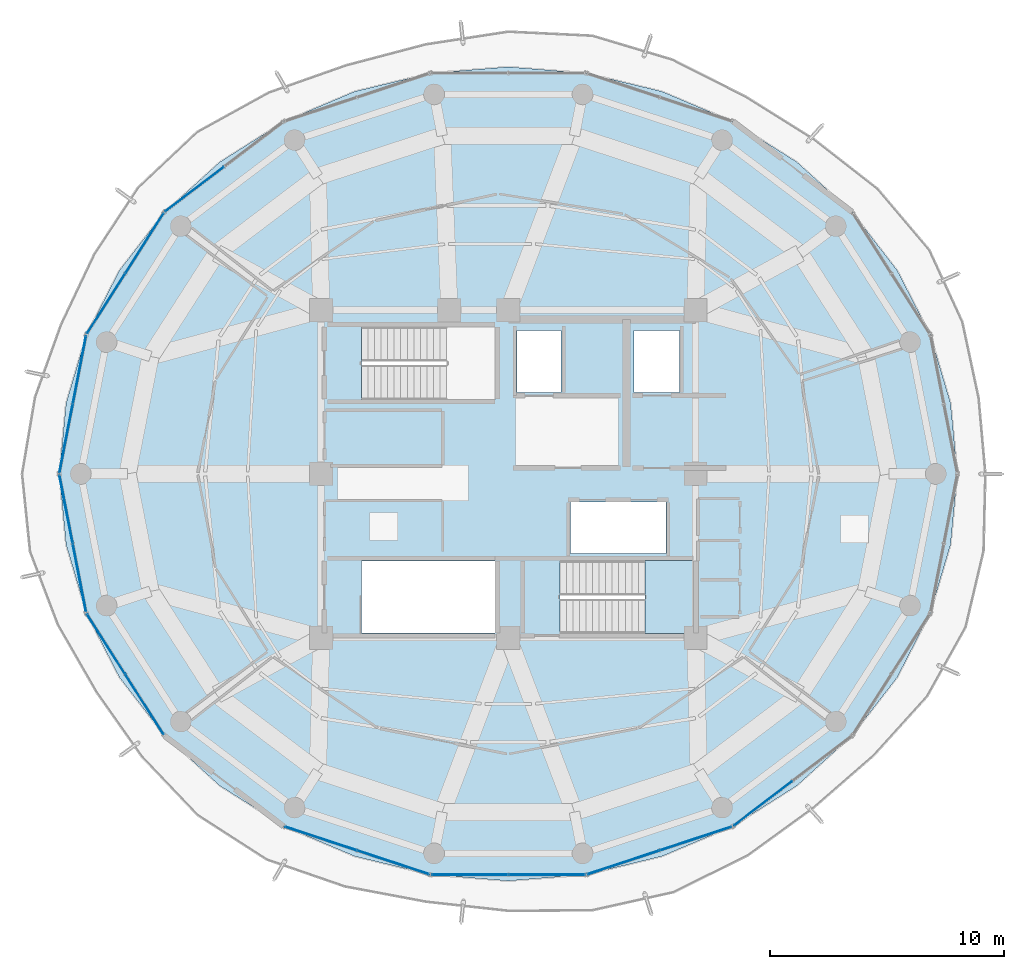
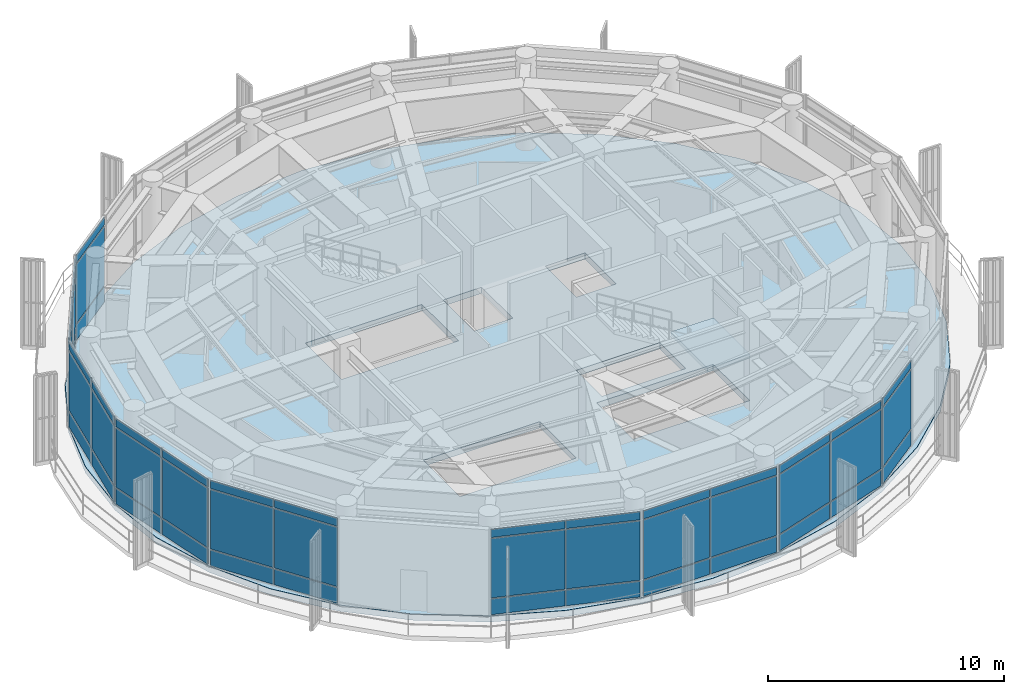
# One storey, part 16 of 23: 48 plates, 2 slabs, 10 elements without a shape of their own.
"""IFC4 building model written with IfcOpenShell, lengths in metres."""

from ifc_helpers import new_model, si_unit, direction, frame, origin, origin_2d, place, context, subcontext, project, spatial, polyline, rectangle, outline, extrude, source, transform, mapped, material, layer, layer_set, type_object, element, aggregate, save


model = new_model("IFC4")

# Units and contexts
model_context = context("Model", 3, precision=1e-05, world=origin(), true_north=direction((0.0, 1.0)))
body_context = subcontext(model_context, "Body", "Model", "MODEL_VIEW")
ifc_project = project(units=[si_unit("LENGTHUNIT", "METRE"), si_unit("AREAUNIT", "SQUARE_METRE"), si_unit("VOLUMEUNIT", "CUBIC_METRE"), si_unit("PLANEANGLEUNIT", "RADIAN"), si_unit("MASSUNIT", "GRAM", prefix="KILO")], contexts=[model_context])

# Site, building, storey
site_placement = place(None, origin())
site = spatial("IfcSite", under=ifc_project, at=site_placement, CompositionType="ELEMENT")
building_placement = place(site_placement, origin())
building = spatial("IfcBuilding", under=site, at=building_placement, Name="Kelanora Arch Commons", CompositionType="ELEMENT")
storey_placement = place(building_placement, frame((0.0, 0.0, 293.699951171875)))
storey = spatial("IfcBuildingStorey", under=building, at=storey_placement, Name="L75", CompositionType="ELEMENT", Elevation=293.699951171875)

# Stair, slab
ifc_material_1 = material(Name="Concrete C40/50", Category="concrete")
stair_type = type_object("IfcStairType", Name="STR-DL-480", PredefinedType="HALF_TURN_STAIR", material=ifc_material_1)
stair_placement = place(storey_placement, origin())
stair = element("IfcStair", 1, at=stair_placement, inside=storey, type_object=stair_type, Name="L75 ST-T2", PredefinedType="HALF_TURN_STAIR")
ifc_layer_1 = layer(ifc_material_1, 0.199951171875)
ifc_layer_set_1 = layer_set([ifc_layer_1], Name="Concrete C40/50")
slab_type_1 = type_object("IfcSlabType", Name="SLB-STAIR-LND", PredefinedType="LANDING", material=ifc_layer_set_1)
slab_1_placement = place(storey_placement, frame((0.0, 0.0, 2.199951171875)))
slab_1 = element("IfcSlab", 2, at=slab_1_placement, type_object=slab_type_1, Name="ST-T2 landing 1", PredefinedType="LANDING", context=body_context, shape_type="SweptSolid", body=[
    extrude(outline(polyline([(79.840087890625, 51.179931640625), (81.919921875, 51.179931640625), (81.919921875, 54.2900390625), (79.840087890625, 54.2900390625), (79.840087890625, 51.179931640625)])), origin(), (0.0, 0.0, 1.0), 0.2001953125),
])
aggregate(stair, [slab_1])

# Slab
ifc_material_2 = material(Name="Concrete C45/55", Category="concrete")
ifc_layer_2 = layer(ifc_material_2, 0.320068359375)
ifc_layer_set_2 = layer_set([ifc_layer_2], Name="Concrete C45/55")
slab_type_2 = type_object("IfcSlabType", Name="SLB-TWR-OBS", PredefinedType="FLOOR", material=ifc_layer_set_2)
slab_2_placement = place(storey_placement, frame((0.0, 0.0, -0.320068359375)))
element("IfcSlab", 3, at=slab_2_placement, inside=storey, type_object=slab_type_2, Name="Tower Floor Slab L75", PredefinedType="FLOOR", context=body_context, shape_type="SweptSolid", body=[
    extrude(outline(polyline([(93.199951171875, 58.0), (92.908203125, 61.021484375), (92.0419921875, 63.951171875), (90.627685546875, 66.699951171875), (88.7080078125, 69.1845703125), (86.341552734375, 71.3291015625), (83.60009765625, 73.06884765625), (80.56689453125, 74.3505859375), (77.333984375, 75.1357421875), (74.0, 75.39990234375), (70.666015625, 75.1357421875), (67.43310546875, 74.3505859375), (64.39990234375, 73.06884765625), (61.658447265625, 71.3291015625), (59.2919921875, 69.1845703125), (57.372314453125, 66.699951171875), (55.9580078125, 63.951171875), (55.091796875, 61.021484375), (54.800048828125, 58.0), (55.091796875, 54.978515625), (55.9580078125, 52.048828125), (57.372314453125, 49.300048828125), (59.2919921875, 46.8154296875), (61.658447265625, 44.6708984375), (64.39990234375, 42.93115234375), (67.43310546875, 41.6494140625), (70.666015625, 40.8642578125), (74.0, 40.60009765625), (77.333984375, 40.8642578125), (80.56689453125, 41.6494140625), (83.60009765625, 42.93115234375), (86.341552734375, 44.6708984375), (88.7080078125, 46.8154296875), (90.627685546875, 49.300048828125), (92.0419921875, 52.048828125), (92.908203125, 54.978515625), (93.199951171875, 58.0)]), holes=[polyline([(73.431884765625, 51.18798828125), (67.72802734375, 51.18798828125), (67.72802734375, 54.281982421875), (73.431884765625, 54.281982421875), (73.431884765625, 51.18798828125)]), polyline([(76.2080078125, 51.18798828125), (76.2080078125, 54.281982421875), (81.912109375, 54.281982421875), (81.912109375, 51.18798828125), (76.2080078125, 51.18798828125)]), polyline([(76.64990234375, 54.60009765625), (76.64990234375, 56.800048828125), (80.75, 56.800048828125), (80.75, 54.60009765625), (76.64990234375, 54.60009765625)]), polyline([(73.431884765625, 61.18798828125), (67.72802734375, 61.18798828125), (67.72802734375, 64.281982421875), (73.431884765625, 64.281982421875), (73.431884765625, 61.18798828125)]), polyline([(74.3798828125, 61.47998046875), (74.3798828125, 64.1201171875), (76.260009765625, 64.1201171875), (76.260009765625, 61.47998046875), (74.3798828125, 61.47998046875)]), polyline([(79.3798828125, 61.47998046875), (79.3798828125, 64.1201171875), (81.320068359375, 64.1201171875), (81.320068359375, 61.47998046875), (79.3798828125, 61.47998046875)])]), origin(), (0.0, 0.0, 1.0), 0.320068359375),
])

# Curtain wall, plates
ifc_material_3 = material(Name="Terracotta ceramic-fritted low-E glass and aluminium", Category="masonry")
ifc_layer_3 = layer(ifc_material_3, 0.22509765625)
ifc_layer_set_3 = layer_set([ifc_layer_3], Name="Terracotta ceramic-fritted low-E glass and aluminium")
curtain_wall_type = type_object("IfcCurtainWallType", Name="CW-SYS-05", PredefinedType="NOTDEFINED", material=ifc_layer_set_3)
curtain_wall_1_placement = place(storey_placement, origin())
curtain_wall_1 = element("IfcCurtainWall", 4, at=curtain_wall_1_placement, inside=storey, type_object=curtain_wall_type, Name="Unitised Curtain Wall L75-B08", PredefinedType="NOTDEFINED")
ifc_material_4 = material(Name="Clear laminated solar-control double glazing", Category="glass")
ifc_layer_4 = layer(ifc_material_4, 0.033935546875)
ifc_layer_set_4 = layer_set([ifc_layer_4], Name="Clear laminated solar-control double glazing")
plate_type = type_object("IfcPlateType", Name="CWP-CLR", PredefinedType="CURTAIN_PANEL", material=ifc_layer_set_4)
shared_shape_1 = source(origin(), body_context, "Body", "SweptSolid", [
    extrude(rectangle(XDim=2.926513671875, YDim=0.033935546875, at=origin_2d()), origin(), (0.0, 0.0, 1.0), 0.81005859375),
])
plate_1_placement = place(storey_placement, frame((55.6640625, 62.44140625, 0.06005859375), z_axis=(0.0, 0.0, 1.0), x_axis=(-0.190971701941, -0.981595542501, 0.0)))
plate_1 = element("IfcPlate", 5, at=plate_1_placement, type_object=plate_type, Name="CW-05 panel 1.1", PredefinedType="CURTAIN_PANEL", context=body_context, shape_type="MappedRepresentation", body=[
    mapped(shared_shape_1, transform((0.0, 0.0, 0.0), scale=1.0)),
])
plate_2_placement = place(storey_placement, frame((55.09375, 59.509765625, 0.06005859375), z_axis=(0.0, 0.0, 1.0), x_axis=(-0.190971701941, -0.981595542501, 0.0)))
plate_2 = element("IfcPlate", 6, at=plate_2_placement, type_object=plate_type, Name="CW-05 panel 2.1", PredefinedType="CURTAIN_PANEL", context=body_context, shape_type="MappedRepresentation", body=[
    mapped(shared_shape_1, transform((0.0, 0.0, 0.0), scale=1.0)),
])

curtain_wall_2_placement = place(storey_placement, origin())
curtain_wall_2 = element("IfcCurtainWall", 7, at=curtain_wall_2_placement, inside=storey, type_object=curtain_wall_type, Name="Unitised Curtain Wall L75-B09", PredefinedType="NOTDEFINED")
plate_3_placement = place(storey_placement, frame((55.09375, 56.490234375, 0.06005859375), z_axis=(0.0, 0.0, 1.0), x_axis=(0.190971701941, -0.981595542501, 0.0)))
plate_3 = element("IfcPlate", 8, at=plate_3_placement, type_object=plate_type, Name="CW-05 panel 1.1", PredefinedType="CURTAIN_PANEL", context=body_context, shape_type="MappedRepresentation", body=[
    mapped(shared_shape_1, transform((0.0, 0.0, 0.0), scale=1.0)),
])
plate_4_placement = place(storey_placement, frame((55.6640625, 53.55859375, 0.06005859375), z_axis=(0.0, 0.0, 1.0), x_axis=(0.190971701941, -0.981595542501, 0.0)))
plate_4 = element("IfcPlate", 9, at=plate_4_placement, type_object=plate_type, Name="CW-05 panel 2.1", PredefinedType="CURTAIN_PANEL", context=body_context, shape_type="MappedRepresentation", body=[
    mapped(shared_shape_1, transform((0.0, 0.0, 0.0), scale=1.0)),
])

# Plate
shared_shape_2 = source(origin(), body_context, "Body", "SweptSolid", [
    extrude(rectangle(XDim=2.926513671875, YDim=0.033935546875, at=origin_2d()), origin(), (0.0, 0.0, 1.0), 3.06494140625),
])
plate_5_placement = place(storey_placement, frame((55.6640625, 62.44140625, 0.93017578125), z_axis=(0.0, 0.0, 1.0), x_axis=(-0.190971701941, -0.981595542501, 0.0)))
plate_5 = element("IfcPlate", 10, at=plate_5_placement, type_object=plate_type, Name="CW-05 panel 1.2", PredefinedType="CURTAIN_PANEL", context=body_context, shape_type="MappedRepresentation", body=[
    mapped(shared_shape_2, transform((0.0, 0.0, 0.0), scale=1.0)),
])

plate_6_placement = place(storey_placement, frame((55.09375, 59.509765625, 0.93017578125), z_axis=(0.0, 0.0, 1.0), x_axis=(-0.190971701941, -0.981595542501, 0.0)))
plate_6 = element("IfcPlate", 11, at=plate_6_placement, type_object=plate_type, Name="CW-05 panel 2.2", PredefinedType="CURTAIN_PANEL", context=body_context, shape_type="MappedRepresentation", body=[
    mapped(shared_shape_2, transform((0.0, 0.0, 0.0), scale=1.0)),
])

plate_7_placement = place(storey_placement, frame((55.09375, 56.490234375, 0.93017578125), z_axis=(0.0, 0.0, 1.0), x_axis=(0.190971701941, -0.981595542501, 0.0)))
plate_7 = element("IfcPlate", 12, at=plate_7_placement, type_object=plate_type, Name="CW-05 panel 1.2", PredefinedType="CURTAIN_PANEL", context=body_context, shape_type="MappedRepresentation", body=[
    mapped(shared_shape_2, transform((0.0, 0.0, 0.0), scale=1.0)),
])

plate_8_placement = place(storey_placement, frame((55.6640625, 53.55859375, 0.93017578125), z_axis=(0.0, 0.0, 1.0), x_axis=(0.190971701941, -0.981595542501, 0.0)))
plate_8 = element("IfcPlate", 13, at=plate_8_placement, type_object=plate_type, Name="CW-05 panel 2.2", PredefinedType="CURTAIN_PANEL", context=body_context, shape_type="MappedRepresentation", body=[
    mapped(shared_shape_2, transform((0.0, 0.0, 0.0), scale=1.0)),
])

shared_shape_3 = source(origin(), body_context, "Body", "SweptSolid", [
    extrude(rectangle(XDim=2.926513671875, YDim=0.033935546875, at=origin_2d()), origin(), (0.0, 0.0, 1.0), 0.409912109375),
])
plate_9_placement = place(storey_placement, frame((55.6640625, 62.44140625, 4.05517578125), z_axis=(0.0, 0.0, 1.0), x_axis=(-0.190971701941, -0.981595542501, 0.0)))
plate_9 = element("IfcPlate", 14, at=plate_9_placement, type_object=plate_type, Name="CW-05 panel 1.3", PredefinedType="CURTAIN_PANEL", context=body_context, shape_type="MappedRepresentation", body=[
    mapped(shared_shape_3, transform((0.0, 0.0, 0.0), scale=1.0)),
])

plate_10_placement = place(storey_placement, frame((55.09375, 59.509765625, 4.05517578125), z_axis=(0.0, 0.0, 1.0), x_axis=(-0.190971701941, -0.981595542501, 0.0)))
plate_10 = element("IfcPlate", 15, at=plate_10_placement, type_object=plate_type, Name="CW-05 panel 2.3", PredefinedType="CURTAIN_PANEL", context=body_context, shape_type="MappedRepresentation", body=[
    mapped(shared_shape_3, transform((0.0, 0.0, 0.0), scale=1.0)),
])

aggregate(curtain_wall_1, [plate_1, plate_5, plate_9, plate_2, plate_6, plate_10])

plate_11_placement = place(storey_placement, frame((55.09375, 56.490234375, 4.05517578125), z_axis=(0.0, 0.0, 1.0), x_axis=(0.190971701941, -0.981595542501, 0.0)))
plate_11 = element("IfcPlate", 16, at=plate_11_placement, type_object=plate_type, Name="CW-05 panel 1.3", PredefinedType="CURTAIN_PANEL", context=body_context, shape_type="MappedRepresentation", body=[
    mapped(shared_shape_3, transform((0.0, 0.0, 0.0), scale=1.0)),
])

plate_12_placement = place(storey_placement, frame((55.6640625, 53.55859375, 4.05517578125), z_axis=(0.0, 0.0, 1.0), x_axis=(0.190971701941, -0.981595542501, 0.0)))
plate_12 = element("IfcPlate", 17, at=plate_12_placement, type_object=plate_type, Name="CW-05 panel 2.3", PredefinedType="CURTAIN_PANEL", context=body_context, shape_type="MappedRepresentation", body=[
    mapped(shared_shape_3, transform((0.0, 0.0, 0.0), scale=1.0)),
])

aggregate(curtain_wall_2, [plate_3, plate_7, plate_11, plate_4, plate_8, plate_12])

# Curtain wall, plates
curtain_wall_3_placement = place(storey_placement, origin())
curtain_wall_3 = element("IfcCurtainWall", 18, at=curtain_wall_3_placement, inside=storey, type_object=curtain_wall_type, Name="Unitised Curtain Wall L75-B07", PredefinedType="NOTDEFINED")
shared_shape_4 = source(origin(), body_context, "Body", "SweptSolid", [
    extrude(rectangle(XDim=2.99755859375, YDim=0.033935546875, at=origin_2d()), origin(), (0.0, 0.0, 1.0), 0.81005859375),
])
plate_13_placement = place(storey_placement, frame((58.4462890625, 67.857177734375, 0.06005859375), z_axis=(0.0, 0.0, 1.0), x_axis=(-0.537299814397, -0.843391314545, 0.0)))
plate_13 = element("IfcPlate", 19, at=plate_13_placement, type_object=plate_type, Name="CW-05 panel 1.1", PredefinedType="CURTAIN_PANEL", context=body_context, shape_type="MappedRepresentation", body=[
    mapped(shared_shape_4, transform((0.0, 0.0, 0.0), scale=1.0)),
])
plate_14_placement = place(storey_placement, frame((56.803466796875, 65.278564453125, 0.06005859375), z_axis=(0.0, 0.0, 1.0), x_axis=(-0.537299814397, -0.843391314545, 0.0)))
plate_14 = element("IfcPlate", 20, at=plate_14_placement, type_object=plate_type, Name="CW-05 panel 2.1", PredefinedType="CURTAIN_PANEL", context=body_context, shape_type="MappedRepresentation", body=[
    mapped(shared_shape_4, transform((0.0, 0.0, 0.0), scale=1.0)),
])

curtain_wall_4_placement = place(storey_placement, origin())
curtain_wall_4 = element("IfcCurtainWall", 21, at=curtain_wall_4_placement, inside=storey, type_object=curtain_wall_type, Name="Unitised Curtain Wall L75-B10", PredefinedType="NOTDEFINED")
plate_15_placement = place(storey_placement, frame((56.803466796875, 50.721435546875, 0.06005859375), z_axis=(0.0, 0.0, 1.0), x_axis=(0.537299814397, -0.843391314545, 0.0)))
plate_15 = element("IfcPlate", 22, at=plate_15_placement, type_object=plate_type, Name="CW-05 panel 1.1", PredefinedType="CURTAIN_PANEL", context=body_context, shape_type="MappedRepresentation", body=[
    mapped(shared_shape_4, transform((0.0, 0.0, 0.0), scale=1.0)),
])
plate_16_placement = place(storey_placement, frame((58.4462890625, 48.142822265625, 0.06005859375), z_axis=(0.0, 0.0, 1.0), x_axis=(0.537299814397, -0.843391314545, 0.0)))
plate_16 = element("IfcPlate", 23, at=plate_16_placement, type_object=plate_type, Name="CW-05 panel 2.1", PredefinedType="CURTAIN_PANEL", context=body_context, shape_type="MappedRepresentation", body=[
    mapped(shared_shape_4, transform((0.0, 0.0, 0.0), scale=1.0)),
])

# Plate
shared_shape_5 = source(origin(), body_context, "Body", "SweptSolid", [
    extrude(rectangle(XDim=2.99755859375, YDim=0.033935546875, at=origin_2d()), origin(), (0.0, 0.0, 1.0), 3.06494140625),
])
plate_17_placement = place(storey_placement, frame((58.4462890625, 67.857177734375, 0.93017578125), z_axis=(0.0, 0.0, 1.0), x_axis=(-0.537299814397, -0.843391314545, 0.0)))
plate_17 = element("IfcPlate", 24, at=plate_17_placement, type_object=plate_type, Name="CW-05 panel 1.2", PredefinedType="CURTAIN_PANEL", context=body_context, shape_type="MappedRepresentation", body=[
    mapped(shared_shape_5, transform((0.0, 0.0, 0.0), scale=1.0)),
])

plate_18_placement = place(storey_placement, frame((56.803466796875, 65.278564453125, 0.93017578125), z_axis=(0.0, 0.0, 1.0), x_axis=(-0.537299814397, -0.843391314545, 0.0)))
plate_18 = element("IfcPlate", 25, at=plate_18_placement, type_object=plate_type, Name="CW-05 panel 2.2", PredefinedType="CURTAIN_PANEL", context=body_context, shape_type="MappedRepresentation", body=[
    mapped(shared_shape_5, transform((0.0, 0.0, 0.0), scale=1.0)),
])

plate_19_placement = place(storey_placement, frame((56.803466796875, 50.721435546875, 0.93017578125), z_axis=(0.0, 0.0, 1.0), x_axis=(0.537299814397, -0.843391314545, 0.0)))
plate_19 = element("IfcPlate", 26, at=plate_19_placement, type_object=plate_type, Name="CW-05 panel 1.2", PredefinedType="CURTAIN_PANEL", context=body_context, shape_type="MappedRepresentation", body=[
    mapped(shared_shape_5, transform((0.0, 0.0, 0.0), scale=1.0)),
])

plate_20_placement = place(storey_placement, frame((58.4462890625, 48.142822265625, 0.93017578125), z_axis=(0.0, 0.0, 1.0), x_axis=(0.537299814397, -0.843391314545, 0.0)))
plate_20 = element("IfcPlate", 27, at=plate_20_placement, type_object=plate_type, Name="CW-05 panel 2.2", PredefinedType="CURTAIN_PANEL", context=body_context, shape_type="MappedRepresentation", body=[
    mapped(shared_shape_5, transform((0.0, 0.0, 0.0), scale=1.0)),
])

shared_shape_6 = source(origin(), body_context, "Body", "SweptSolid", [
    extrude(rectangle(XDim=2.99755859375, YDim=0.033935546875, at=origin_2d()), origin(), (0.0, 0.0, 1.0), 0.409912109375),
])
plate_21_placement = place(storey_placement, frame((58.4462890625, 67.857177734375, 4.05517578125), z_axis=(0.0, 0.0, 1.0), x_axis=(-0.537299814397, -0.843391314545, 0.0)))
plate_21 = element("IfcPlate", 28, at=plate_21_placement, type_object=plate_type, Name="CW-05 panel 1.3", PredefinedType="CURTAIN_PANEL", context=body_context, shape_type="MappedRepresentation", body=[
    mapped(shared_shape_6, transform((0.0, 0.0, 0.0), scale=1.0)),
])

plate_22_placement = place(storey_placement, frame((56.803466796875, 65.278564453125, 4.05517578125), z_axis=(0.0, 0.0, 1.0), x_axis=(-0.537299814397, -0.843391314545, 0.0)))
plate_22 = element("IfcPlate", 29, at=plate_22_placement, type_object=plate_type, Name="CW-05 panel 2.3", PredefinedType="CURTAIN_PANEL", context=body_context, shape_type="MappedRepresentation", body=[
    mapped(shared_shape_6, transform((0.0, 0.0, 0.0), scale=1.0)),
])

aggregate(curtain_wall_3, [plate_13, plate_17, plate_21, plate_14, plate_18, plate_22])

plate_23_placement = place(storey_placement, frame((56.803466796875, 50.721435546875, 4.05517578125), z_axis=(0.0, 0.0, 1.0), x_axis=(0.537299814397, -0.843391314545, 0.0)))
plate_23 = element("IfcPlate", 30, at=plate_23_placement, type_object=plate_type, Name="CW-05 panel 1.3", PredefinedType="CURTAIN_PANEL", context=body_context, shape_type="MappedRepresentation", body=[
    mapped(shared_shape_6, transform((0.0, 0.0, 0.0), scale=1.0)),
])

plate_24_placement = place(storey_placement, frame((58.4462890625, 48.142822265625, 4.05517578125), z_axis=(0.0, 0.0, 1.0), x_axis=(0.537299814397, -0.843391314545, 0.0)))
plate_24 = element("IfcPlate", 31, at=plate_24_placement, type_object=plate_type, Name="CW-05 panel 2.3", PredefinedType="CURTAIN_PANEL", context=body_context, shape_type="MappedRepresentation", body=[
    mapped(shared_shape_6, transform((0.0, 0.0, 0.0), scale=1.0)),
])

aggregate(curtain_wall_4, [plate_15, plate_19, plate_23, plate_16, plate_20, plate_24])

# Curtain wall, plates
curtain_wall_5_placement = place(storey_placement, origin())
curtain_wall_5 = element("IfcCurtainWall", 32, at=curtain_wall_5_placement, inside=storey, type_object=curtain_wall_type, Name="Unitised Curtain Wall L75-B12", PredefinedType="NOTDEFINED")
shared_shape_7 = source(origin(), body_context, "Body", "SweptSolid", [
    extrude(rectangle(XDim=3.194091796875, YDim=0.033935546875, at=origin_2d()), origin(), (0.0, 0.0, 1.0), 0.81005859375),
])
plate_25_placement = place(storey_placement, frame((65.98779296875, 42.407470703125, 0.06005859375), z_axis=(0.0, 0.0, 1.0), x_axis=(0.949669780752, -0.313252785344, 0.0)))
plate_25 = element("IfcPlate", 33, at=plate_25_placement, type_object=plate_type, Name="CW-05 panel 1.1", PredefinedType="CURTAIN_PANEL", context=body_context, shape_type="MappedRepresentation", body=[
    mapped(shared_shape_7, transform((0.0, 0.0, 0.0), scale=1.0)),
])
plate_26_placement = place(storey_placement, frame((69.078125, 41.38818359375, 0.06005859375), z_axis=(0.0, 0.0, 1.0), x_axis=(0.949669780752, -0.313252785344, 0.0)))
plate_26 = element("IfcPlate", 34, at=plate_26_placement, type_object=plate_type, Name="CW-05 panel 2.1", PredefinedType="CURTAIN_PANEL", context=body_context, shape_type="MappedRepresentation", body=[
    mapped(shared_shape_7, transform((0.0, 0.0, 0.0), scale=1.0)),
])

curtain_wall_6_placement = place(storey_placement, origin())
curtain_wall_6 = element("IfcCurtainWall", 35, at=curtain_wall_6_placement, inside=storey, type_object=curtain_wall_type, Name="Unitised Curtain Wall L75-B14", PredefinedType="NOTDEFINED")
plate_27_placement = place(storey_placement, frame((78.921875, 41.38818359375, 0.06005859375), z_axis=(0.0, 0.0, 1.0), x_axis=(0.949669780752, 0.313252785344, 0.0)))
plate_27 = element("IfcPlate", 36, at=plate_27_placement, type_object=plate_type, Name="CW-05 panel 1.1", PredefinedType="CURTAIN_PANEL", context=body_context, shape_type="MappedRepresentation", body=[
    mapped(shared_shape_7, transform((0.0, 0.0, 0.0), scale=1.0)),
])
plate_28_placement = place(storey_placement, frame((82.01220703125, 42.407470703125, 0.06005859375), z_axis=(0.0, 0.0, 1.0), x_axis=(0.949669780752, 0.313252785344, 0.0)))
plate_28 = element("IfcPlate", 37, at=plate_28_placement, type_object=plate_type, Name="CW-05 panel 2.1", PredefinedType="CURTAIN_PANEL", context=body_context, shape_type="MappedRepresentation", body=[
    mapped(shared_shape_7, transform((0.0, 0.0, 0.0), scale=1.0)),
])

# Plate
shared_shape_8 = source(origin(), body_context, "Body", "SweptSolid", [
    extrude(rectangle(XDim=3.194091796875, YDim=0.033935546875, at=origin_2d()), origin(), (0.0, 0.0, 1.0), 3.06494140625),
])
plate_29_placement = place(storey_placement, frame((65.98779296875, 42.407470703125, 0.93017578125), z_axis=(0.0, 0.0, 1.0), x_axis=(0.949669780752, -0.313252785344, 0.0)))
plate_29 = element("IfcPlate", 38, at=plate_29_placement, type_object=plate_type, Name="CW-05 panel 1.2", PredefinedType="CURTAIN_PANEL", context=body_context, shape_type="MappedRepresentation", body=[
    mapped(shared_shape_8, transform((0.0, 0.0, 0.0), scale=1.0)),
])

plate_30_placement = place(storey_placement, frame((69.078125, 41.38818359375, 0.93017578125), z_axis=(0.0, 0.0, 1.0), x_axis=(0.949669780752, -0.313252785344, 0.0)))
plate_30 = element("IfcPlate", 39, at=plate_30_placement, type_object=plate_type, Name="CW-05 panel 2.2", PredefinedType="CURTAIN_PANEL", context=body_context, shape_type="MappedRepresentation", body=[
    mapped(shared_shape_8, transform((0.0, 0.0, 0.0), scale=1.0)),
])

plate_31_placement = place(storey_placement, frame((78.921875, 41.38818359375, 0.93017578125), z_axis=(0.0, 0.0, 1.0), x_axis=(0.949669780752, 0.313252785344, 0.0)))
plate_31 = element("IfcPlate", 40, at=plate_31_placement, type_object=plate_type, Name="CW-05 panel 1.2", PredefinedType="CURTAIN_PANEL", context=body_context, shape_type="MappedRepresentation", body=[
    mapped(shared_shape_8, transform((0.0, 0.0, 0.0), scale=1.0)),
])

plate_32_placement = place(storey_placement, frame((82.01220703125, 42.407470703125, 0.93017578125), z_axis=(0.0, 0.0, 1.0), x_axis=(0.949669780752, 0.313252785344, 0.0)))
plate_32 = element("IfcPlate", 41, at=plate_32_placement, type_object=plate_type, Name="CW-05 panel 2.2", PredefinedType="CURTAIN_PANEL", context=body_context, shape_type="MappedRepresentation", body=[
    mapped(shared_shape_8, transform((0.0, 0.0, 0.0), scale=1.0)),
])

shared_shape_9 = source(origin(), body_context, "Body", "SweptSolid", [
    extrude(rectangle(XDim=3.194091796875, YDim=0.033935546875, at=origin_2d()), origin(), (0.0, 0.0, 1.0), 0.409912109375),
])
plate_33_placement = place(storey_placement, frame((65.98779296875, 42.407470703125, 4.05517578125), z_axis=(0.0, 0.0, 1.0), x_axis=(0.949669780752, -0.313252785344, 0.0)))
plate_33 = element("IfcPlate", 42, at=plate_33_placement, type_object=plate_type, Name="CW-05 panel 1.3", PredefinedType="CURTAIN_PANEL", context=body_context, shape_type="MappedRepresentation", body=[
    mapped(shared_shape_9, transform((0.0, 0.0, 0.0), scale=1.0)),
])

plate_34_placement = place(storey_placement, frame((69.078125, 41.38818359375, 4.05517578125), z_axis=(0.0, 0.0, 1.0), x_axis=(0.949669780752, -0.313252785344, 0.0)))
plate_34 = element("IfcPlate", 43, at=plate_34_placement, type_object=plate_type, Name="CW-05 panel 2.3", PredefinedType="CURTAIN_PANEL", context=body_context, shape_type="MappedRepresentation", body=[
    mapped(shared_shape_9, transform((0.0, 0.0, 0.0), scale=1.0)),
])

aggregate(curtain_wall_5, [plate_25, plate_29, plate_33, plate_26, plate_30, plate_34])

plate_35_placement = place(storey_placement, frame((78.921875, 41.38818359375, 4.05517578125), z_axis=(0.0, 0.0, 1.0), x_axis=(0.949669780752, 0.313252785344, 0.0)))
plate_35 = element("IfcPlate", 44, at=plate_35_placement, type_object=plate_type, Name="CW-05 panel 1.3", PredefinedType="CURTAIN_PANEL", context=body_context, shape_type="MappedRepresentation", body=[
    mapped(shared_shape_9, transform((0.0, 0.0, 0.0), scale=1.0)),
])

plate_36_placement = place(storey_placement, frame((82.01220703125, 42.407470703125, 4.05517578125), z_axis=(0.0, 0.0, 1.0), x_axis=(0.949669780752, 0.313252785344, 0.0)))
plate_36 = element("IfcPlate", 45, at=plate_36_placement, type_object=plate_type, Name="CW-05 panel 2.3", PredefinedType="CURTAIN_PANEL", context=body_context, shape_type="MappedRepresentation", body=[
    mapped(shared_shape_9, transform((0.0, 0.0, 0.0), scale=1.0)),
])

aggregate(curtain_wall_6, [plate_27, plate_31, plate_35, plate_28, plate_32, plate_36])

# Curtain wall, plates
curtain_wall_7_placement = place(storey_placement, origin())
curtain_wall_7 = element("IfcCurtainWall", 46, at=curtain_wall_7_placement, inside=storey, type_object=curtain_wall_type, Name="Unitised Curtain Wall L75-B13", PredefinedType="NOTDEFINED")
shared_shape_10 = source(origin(), body_context, "Body", "SweptSolid", [
    extrude(rectangle(XDim=3.22900390625, YDim=0.033935546875, at=origin_2d()), origin(), (0.0, 0.0, 1.0), 0.81005859375),
])
plate_37_placement = place(storey_placement, frame((72.35546875, 40.8642578125, 0.06005859375), z_axis=(0.0, 0.0, 1.0), x_axis=(1.0, 0.0, 0.0)))
plate_37 = element("IfcPlate", 47, at=plate_37_placement, type_object=plate_type, Name="CW-05 panel 1.1", PredefinedType="CURTAIN_PANEL", context=body_context, shape_type="MappedRepresentation", body=[
    mapped(shared_shape_10, transform((0.0, 0.0, 0.0), scale=1.0)),
])
plate_38_placement = place(storey_placement, frame((75.64453125, 40.8642578125, 0.06005859375), z_axis=(0.0, 0.0, 1.0), x_axis=(1.0, 0.0, 0.0)))
plate_38 = element("IfcPlate", 48, at=plate_38_placement, type_object=plate_type, Name="CW-05 panel 2.1", PredefinedType="CURTAIN_PANEL", context=body_context, shape_type="MappedRepresentation", body=[
    mapped(shared_shape_10, transform((0.0, 0.0, 0.0), scale=1.0)),
])
shared_shape_11 = source(origin(), body_context, "Body", "SweptSolid", [
    extrude(rectangle(XDim=3.22900390625, YDim=0.033935546875, at=origin_2d()), origin(), (0.0, 0.0, 1.0), 3.06494140625),
])
plate_39_placement = place(storey_placement, frame((72.35546875, 40.8642578125, 0.93017578125), z_axis=(0.0, 0.0, 1.0), x_axis=(1.0, 0.0, 0.0)))
plate_39 = element("IfcPlate", 49, at=plate_39_placement, type_object=plate_type, Name="CW-05 panel 1.2", PredefinedType="CURTAIN_PANEL", context=body_context, shape_type="MappedRepresentation", body=[
    mapped(shared_shape_11, transform((0.0, 0.0, 0.0), scale=1.0)),
])
plate_40_placement = place(storey_placement, frame((75.64453125, 40.8642578125, 0.93017578125), z_axis=(0.0, 0.0, 1.0), x_axis=(1.0, 0.0, 0.0)))
plate_40 = element("IfcPlate", 50, at=plate_40_placement, type_object=plate_type, Name="CW-05 panel 2.2", PredefinedType="CURTAIN_PANEL", context=body_context, shape_type="MappedRepresentation", body=[
    mapped(shared_shape_11, transform((0.0, 0.0, 0.0), scale=1.0)),
])
shared_shape_12 = source(origin(), body_context, "Body", "SweptSolid", [
    extrude(rectangle(XDim=3.22900390625, YDim=0.033935546875, at=origin_2d()), origin(), (0.0, 0.0, 1.0), 0.409912109375),
])
plate_41_placement = place(storey_placement, frame((72.35546875, 40.8642578125, 4.05517578125), z_axis=(0.0, 0.0, 1.0), x_axis=(1.0, 0.0, 0.0)))
plate_41 = element("IfcPlate", 51, at=plate_41_placement, type_object=plate_type, Name="CW-05 panel 1.3", PredefinedType="CURTAIN_PANEL", context=body_context, shape_type="MappedRepresentation", body=[
    mapped(shared_shape_12, transform((0.0, 0.0, 0.0), scale=1.0)),
])
plate_42_placement = place(storey_placement, frame((75.64453125, 40.8642578125, 4.05517578125), z_axis=(0.0, 0.0, 1.0), x_axis=(1.0, 0.0, 0.0)))
plate_42 = element("IfcPlate", 52, at=plate_42_placement, type_object=plate_type, Name="CW-05 panel 2.3", PredefinedType="CURTAIN_PANEL", context=body_context, shape_type="MappedRepresentation", body=[
    mapped(shared_shape_12, transform((0.0, 0.0, 0.0), scale=1.0)),
])
aggregate(curtain_wall_7, [plate_37, plate_39, plate_41, plate_38, plate_40, plate_42])

# Curtain wall, plate
curtain_wall_8_placement = place(storey_placement, origin())
curtain_wall_8 = element("IfcCurtainWall", 53, at=curtain_wall_8_placement, inside=storey, type_object=curtain_wall_type, Name="Unitised Curtain Wall L75-B06", PredefinedType="NOTDEFINED")
shared_shape_13 = source(origin(), body_context, "Body", "SweptSolid", [
    extrude(rectangle(XDim=3.103515625, YDim=0.033935546875, at=origin_2d()), origin(), (0.0, 0.0, 1.0), 0.81005859375),
])
plate_43_placement = place(storey_placement, frame((60.5869140625, 70.169189453125, 0.06005859375), z_axis=(0.0, 0.0, 1.0), x_axis=(-0.796008909174, -0.605284905243, 0.0)))
plate_43 = element("IfcPlate", 54, at=plate_43_placement, type_object=plate_type, Name="CW-05 panel 2.1", PredefinedType="CURTAIN_PANEL", context=body_context, shape_type="MappedRepresentation", body=[
    mapped(shared_shape_13, transform((0.0, 0.0, 0.0), scale=1.0)),
])

curtain_wall_9_placement = place(storey_placement, origin())
curtain_wall_9 = element("IfcCurtainWall", 55, at=curtain_wall_9_placement, inside=storey, type_object=curtain_wall_type, Name="Unitised Curtain Wall L75-B15", PredefinedType="NOTDEFINED")
plate_44_placement = place(storey_placement, frame((84.89501953125, 43.916015625, 0.06005859375), z_axis=(0.0, 0.0, 1.0), x_axis=(0.796008909174, 0.605284905243, 0.0)))
plate_44 = element("IfcPlate", 56, at=plate_44_placement, type_object=plate_type, Name="CW-05 panel 1.1", PredefinedType="CURTAIN_PANEL", context=body_context, shape_type="MappedRepresentation", body=[
    mapped(shared_shape_13, transform((0.0, 0.0, 0.0), scale=1.0)),
])

# Plate
shared_shape_14 = source(origin(), body_context, "Body", "SweptSolid", [
    extrude(rectangle(XDim=3.103515625, YDim=0.033935546875, at=origin_2d()), origin(), (0.0, 0.0, 1.0), 3.06494140625),
])
plate_45_placement = place(storey_placement, frame((60.5869140625, 70.169189453125, 0.93017578125), z_axis=(0.0, 0.0, 1.0), x_axis=(-0.796008909174, -0.605284905243, 0.0)))
plate_45 = element("IfcPlate", 57, at=plate_45_placement, type_object=plate_type, Name="CW-05 panel 2.2", PredefinedType="CURTAIN_PANEL", context=body_context, shape_type="MappedRepresentation", body=[
    mapped(shared_shape_14, transform((0.0, 0.0, 0.0), scale=1.0)),
])

plate_46_placement = place(storey_placement, frame((84.89501953125, 43.916015625, 0.93017578125), z_axis=(0.0, 0.0, 1.0), x_axis=(0.796008909174, 0.605284905243, 0.0)))
plate_46 = element("IfcPlate", 58, at=plate_46_placement, type_object=plate_type, Name="CW-05 panel 1.2", PredefinedType="CURTAIN_PANEL", context=body_context, shape_type="MappedRepresentation", body=[
    mapped(shared_shape_14, transform((0.0, 0.0, 0.0), scale=1.0)),
])

shared_shape_15 = source(origin(), body_context, "Body", "SweptSolid", [
    extrude(rectangle(XDim=3.103515625, YDim=0.033935546875, at=origin_2d()), origin(), (0.0, 0.0, 1.0), 0.409912109375),
])
plate_47_placement = place(storey_placement, frame((60.5869140625, 70.169189453125, 4.05517578125), z_axis=(0.0, 0.0, 1.0), x_axis=(-0.796008909174, -0.605284905243, 0.0)))
plate_47 = element("IfcPlate", 59, at=plate_47_placement, type_object=plate_type, Name="CW-05 panel 2.3", PredefinedType="CURTAIN_PANEL", context=body_context, shape_type="MappedRepresentation", body=[
    mapped(shared_shape_15, transform((0.0, 0.0, 0.0), scale=1.0)),
])

aggregate(curtain_wall_8, [plate_43, plate_45, plate_47])

plate_48_placement = place(storey_placement, frame((84.89501953125, 43.916015625, 4.05517578125), z_axis=(0.0, 0.0, 1.0), x_axis=(0.796008909174, 0.605284905243, 0.0)))
plate_48 = element("IfcPlate", 60, at=plate_48_placement, type_object=plate_type, Name="CW-05 panel 1.3", PredefinedType="CURTAIN_PANEL", context=body_context, shape_type="MappedRepresentation", body=[
    mapped(shared_shape_15, transform((0.0, 0.0, 0.0), scale=1.0)),
])

aggregate(curtain_wall_9, [plate_44, plate_46, plate_48])

save(model, "model.ifc")
